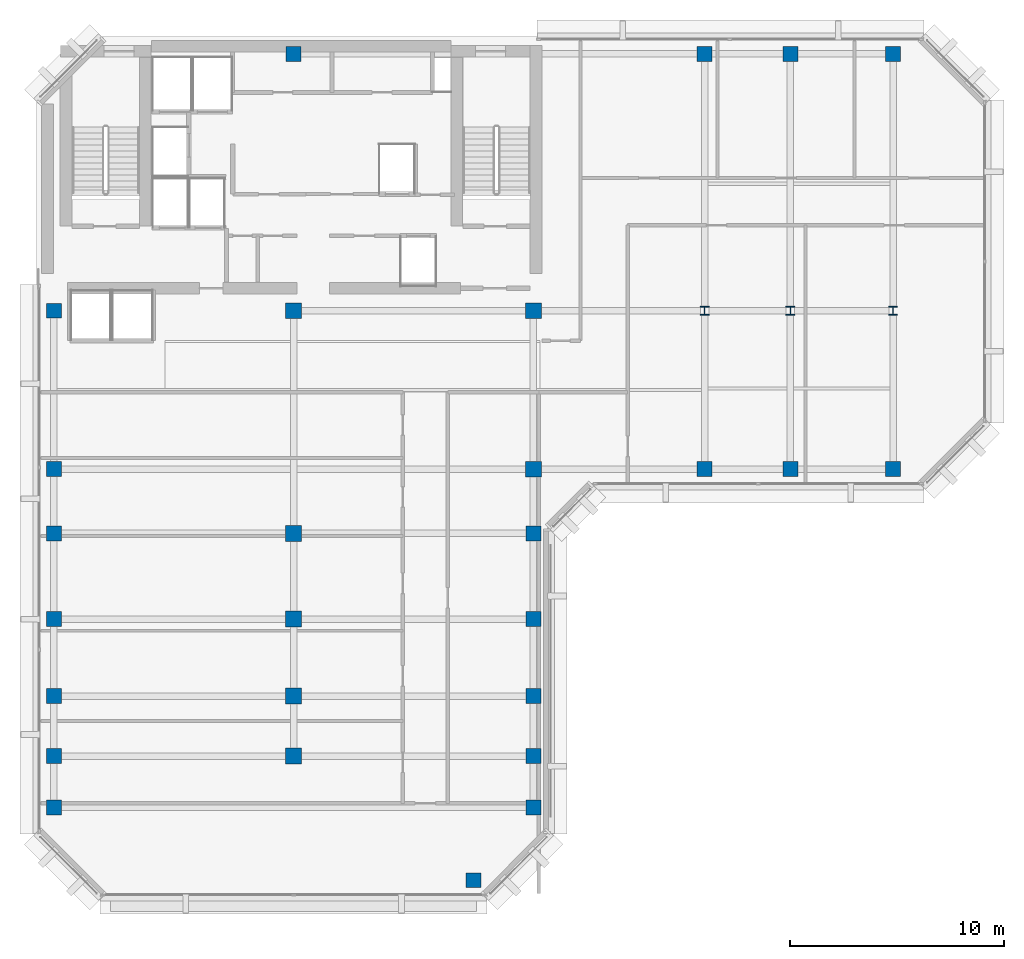
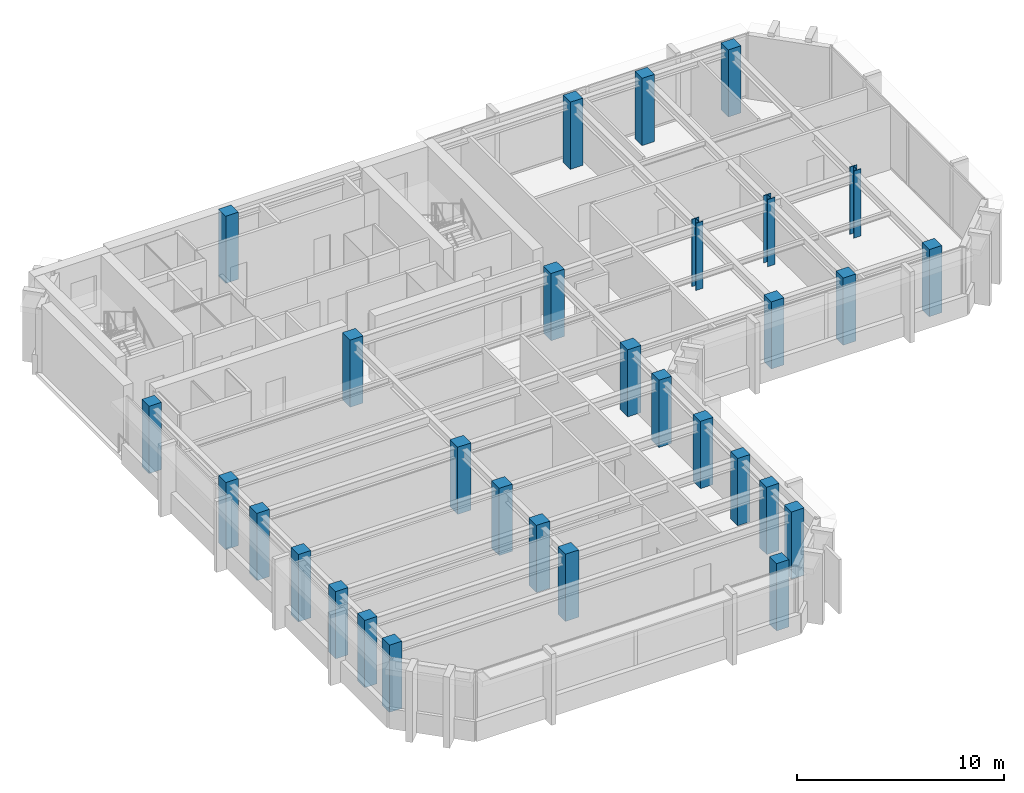
# One storey, part 1 of 11: 30 columns.
"""IFC4 building model written with IfcOpenShell, lengths in metres."""

from ifc_helpers import new_model, si_unit, direction, frame, origin, origin_2d, place, context, subcontext, project, spatial, rectangle, i_section, extrude, material, material_profile, profile_set, type_object, element, save


model = new_model("IFC4")

# Units and contexts
model_context = context("Model", 3, precision=1e-05, world=origin(), true_north=direction((0.0, 1.0)))
body_context = subcontext(model_context, "Body", "Model", "MODEL_VIEW")
ifc_project = project(units=[si_unit("LENGTHUNIT", "METRE"), si_unit("AREAUNIT", "SQUARE_METRE"), si_unit("VOLUMEUNIT", "CUBIC_METRE"), si_unit("PLANEANGLEUNIT", "RADIAN"), si_unit("MASSUNIT", "GRAM", prefix="KILO")], contexts=[model_context])

# Site, building, storey
site_placement = place(None, origin())
site = spatial("IfcSite", under=ifc_project, at=site_placement, CompositionType="ELEMENT")
building_placement = place(site_placement, origin())
building = spatial("IfcBuilding", under=site, at=building_placement, Name="Kefirva Bronze Tower", CompositionType="ELEMENT")
storey_placement = place(building_placement, frame((0.0, 0.0, 315.81005859375)))
storey = spatial("IfcBuildingStorey", under=building, at=storey_placement, Name="L77", CompositionType="ELEMENT", Elevation=315.81005859375)

# Columns
ifc_material_1 = material(Name="Concrete C50/60", Category="concrete")
ifc_material_profile_1 = material_profile(ifc_material_1, rectangle(XDim=0.699951171875, YDim=0.699951171875, at=origin_2d()), Name="RC 700x700")
ifc_profile_set_1 = profile_set([ifc_material_profile_1], Name="Concrete C50/60")
column_type_1 = type_object("IfcColumnType", Name="RC Column 700x700 Ext", PredefinedType="COLUMN", material=ifc_profile_set_1)
for number, where, z_axis, x_axis, name in (
    (1, (0.800048828125, 10.0, 0.0), (0.0, 0.0, 1.0), (1.0, 0.0, 0.0), "L77 Column C008_100"),
    (2, (0.800048828125, 12.39990234375, 0.0), (0.0, 0.0, 1.0), (1.0, 0.0, 0.0), "L77 Column C008_124"),
    (3, (0.800048828125, 15.199951171875, 0.0), (0.0, 0.0, 1.0), (1.0, 0.0, 0.0), "L77 Column C008_152"),
    (4, (0.800048828125, 18.800048828125, 0.0), (0.0, 0.0, 1.0), (1.0, 0.0, 0.0), "L77 Column C008_188"),
    (5, (0.800048828125, 22.800048828125, 0.0), (0.0, 0.0, 1.0), (1.0, 0.0, 0.0), "L77 Column C008_228"),
    (6, (0.800048828125, 25.800048828125, 0.0), (0.0, 0.0, 1.0), (1.0, 0.0, 0.0), "L77 Column C008_258"),
    (7, (0.800048828125, 33.199951171875, 0.0), (0.0, 0.0, 1.0), (1.0, 0.0, 0.0), "L77 Column C008_332"),
    (8, (12.0, 45.199951171875, 0.0), (0.0, 0.0, 1.0), (1.0, 0.0, 0.0), "L77 Column C120_452"),
    (9, (20.39990234375, 6.60009765625, 0.0), (0.0, 0.0, 1.0), (1.0, 0.0, 0.0), "L77 Column C204_066"),
    (10, (23.199951171875, 10.0, 0.0), (0.0, 0.0, 1.0), (1.0, 0.0, 0.0), "L77 Column C232_100"),
    (11, (23.199951171875, 12.39990234375, 0.0), (0.0, 0.0, 1.0), (1.0, 0.0, 0.0), "L77 Column C232_124"),
    (12, (23.199951171875, 15.199951171875, 0.0), (0.0, 0.0, 1.0), (1.0, 0.0, 0.0), "L77 Column C232_152"),
    (13, (23.199951171875, 18.800048828125, 0.0), (0.0, 0.0, 1.0), (1.0, 0.0, 0.0), "L77 Column C232_188"),
    (14, (23.199951171875, 22.800048828125, 0.0), (0.0, 0.0, 1.0), (1.0, 0.0, 0.0), "L77 Column C232_228"),
    (15, (31.199951171875, 25.800048828125, 0.0), (0.0, 0.0, 1.0), (1.0, 0.0, 0.0), "L77 Column C312_258"),
    (16, (31.199951171875, 45.199951171875, 0.0), (0.0, 0.0, 1.0), (1.0, 0.0, 0.0), "L77 Column C312_452"),
    (17, (35.199951171875, 25.800048828125, 0.0), (0.0, 0.0, 1.0), (1.0, 0.0, 0.0), "L77 Column C352_258"),
    (18, (35.199951171875, 45.199951171875, 0.0), (0.0, 0.0, 1.0), (1.0, 0.0, 0.0), "L77 Column C352_452"),
    (19, (40.0, 25.800048828125, 0.0), (0.0, 0.0, 1.0), (1.0, 0.0, 0.0), "L77 Column C400_258"),
    (20, (40.0, 45.199951171875, 0.0), (0.0, 0.0, 1.0), (1.0, 0.0, 0.0), "L77 Column C400_452"),
):
    element("IfcColumn", number, at=place(storey_placement, frame(where, z_axis=z_axis, x_axis=x_axis)), inside=storey, type_object=column_type_1, Name=name, PredefinedType="COLUMN", context=body_context, shape_type="SweptSolid", body=[
        extrude(rectangle(XDim=0.699951171875, YDim=0.699951171875, at=origin_2d()), origin(), (0.0, 0.0, 1.0), 3.9599609375),
    ])
ifc_material_profile_2 = material_profile(ifc_material_1, rectangle(XDim=0.739990234375, YDim=0.739990234375, at=origin_2d()), Name="RC 740x740")
ifc_profile_set_2 = profile_set([ifc_material_profile_2], Name="Concrete C50/60")
column_type_2 = type_object("IfcColumnType", Name="RC Column 740x740 Int", PredefinedType="COLUMN", material=ifc_profile_set_2)
for number, where, z_axis, x_axis, name in (
    (21, (12.0, 12.39990234375, 0.0), (0.0, 0.0, 1.0), (1.0, 0.0, 0.0), "L77 Column C120_124"),
    (22, (12.0, 15.199951171875, 0.0), (0.0, 0.0, 1.0), (1.0, 0.0, 0.0), "L77 Column C120_152"),
    (23, (12.0, 18.800048828125, 0.0), (0.0, 0.0, 1.0), (1.0, 0.0, 0.0), "L77 Column C120_188"),
    (24, (12.0, 22.800048828125, 0.0), (0.0, 0.0, 1.0), (1.0, 0.0, 0.0), "L77 Column C120_228"),
    (25, (12.0, 33.199951171875, 0.0), (0.0, 0.0, 1.0), (1.0, 0.0, 0.0), "L77 Column C120_332"),
    (26, (23.199951171875, 25.800048828125, 0.0), (0.0, 0.0, 1.0), (1.0, 0.0, 0.0), "L77 Column C232_258"),
    (27, (23.199951171875, 33.199951171875, 0.0), (0.0, 0.0, 1.0), (1.0, 0.0, 0.0), "L77 Column C232_332"),
):
    element("IfcColumn", number, at=place(storey_placement, frame(where, z_axis=z_axis, x_axis=x_axis)), inside=storey, type_object=column_type_2, Name=name, PredefinedType="COLUMN", context=body_context, shape_type="SweptSolid", body=[
        extrude(rectangle(XDim=0.739990234375, YDim=0.739990234375, at=origin_2d()), origin(), (0.0, 0.0, 1.0), 3.9599609375),
    ])
ifc_material_2 = material(Name="Steel S460", Category="steel")
ifc_material_profile_3 = material_profile(ifc_material_2, i_section(OverallWidth=0.406005859375, OverallDepth=0.416015625, WebThickness=0.02197265625, FlangeThickness=0.035888671875, at=origin_2d()), Name="HD 400x382")
ifc_profile_set_3 = profile_set([ifc_material_profile_3], Name="Steel S460")
column_type_3 = type_object("IfcColumnType", Name="Steel Column HD 400x382", PredefinedType="COLUMN", material=ifc_profile_set_3)
for number, where, z_axis, x_axis, name in (
    (28, (31.199951171875, 33.199951171875, 0.0), (0.0, 0.0, 1.0), (1.0, 0.0, 0.0), "L77 Column C312_332"),
    (29, (35.199951171875, 33.199951171875, 0.0), (0.0, 0.0, 1.0), (1.0, 0.0, 0.0), "L77 Column C352_332"),
    (30, (40.0, 33.199951171875, 0.0), (0.0, 0.0, 1.0), (1.0, 0.0, 0.0), "L77 Column C400_332"),
):
    element("IfcColumn", number, at=place(storey_placement, frame(where, z_axis=z_axis, x_axis=x_axis)), inside=storey, type_object=column_type_3, Name=name, PredefinedType="COLUMN", context=body_context, shape_type="SweptSolid", body=[
        extrude(i_section(OverallWidth=0.406005859375, OverallDepth=0.416015625, WebThickness=0.02197265625, FlangeThickness=0.035888671875, at=origin_2d()), origin(), (0.0, 0.0, 1.0), 3.9599609375),
    ])

save(model, "model.ifc")
